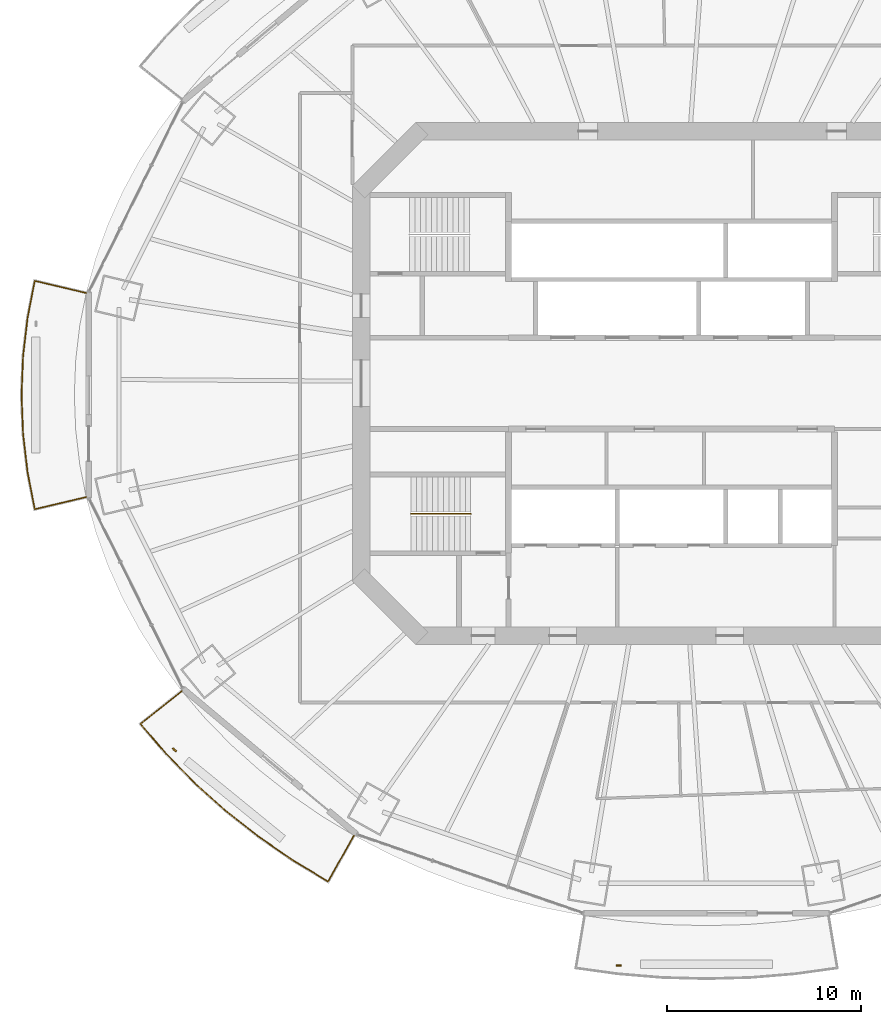
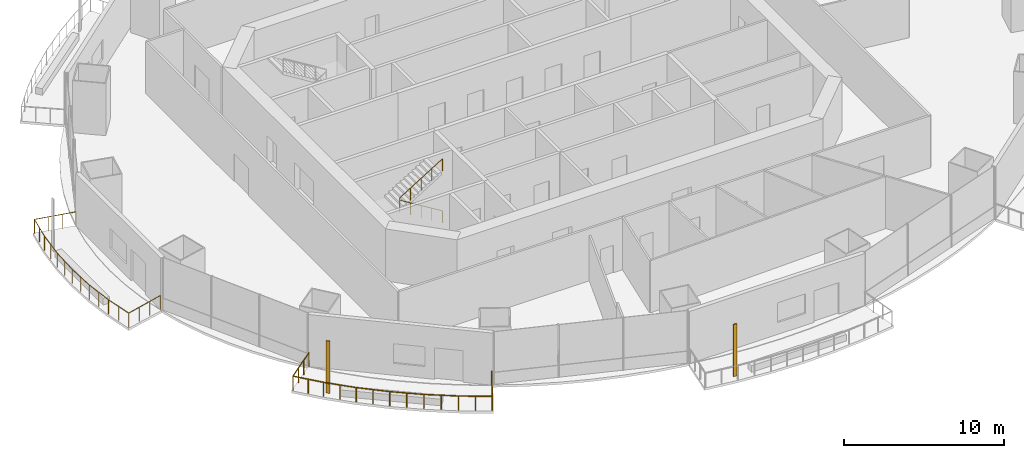
# One storey, part 15 of 20: 3 railings, 2 shading devices.
"""IFC4 building model written with IfcOpenShell, lengths in metres."""

from ifc_helpers import new_model, si_unit, direction, frame, origin, origin_2d, place, context, subcontext, project, spatial, rectangle, circle, extrude, material, material_profile, profile_set, type_object, element, save


model = new_model("IFC4")

# Units and contexts
model_context = context("Model", 3, precision=1e-05, world=origin(), true_north=direction((0.0, 1.0)))
body_context = subcontext(model_context, "Body", "Model", "MODEL_VIEW")
ifc_project = project(units=[si_unit("LENGTHUNIT", "METRE"), si_unit("AREAUNIT", "SQUARE_METRE"), si_unit("VOLUMEUNIT", "CUBIC_METRE"), si_unit("PLANEANGLEUNIT", "RADIAN"), si_unit("MASSUNIT", "GRAM", prefix="KILO")], contexts=[model_context])

# Site, building, storey
site_placement = place(None, origin())
site = spatial("IfcSite", under=ifc_project, at=site_placement, CompositionType="ELEMENT")
building_placement = place(site_placement, origin())
building = spatial("IfcBuilding", under=site, at=building_placement, Name="Marenthal Gate Tower", CompositionType="ELEMENT")
storey_placement = place(building_placement, frame((0.0, 0.0, 173.5)))
storey = spatial("IfcBuildingStorey", under=building, at=storey_placement, Name="L37", CompositionType="ELEMENT", Elevation=173.5)

# Railings
ifc_material_1 = material(Name="Stainless steel", Category="steel")
railing_type_1 = type_object("IfcRailingType", Name="Balcony guard 1100", PredefinedType="GUARDRAIL", material=ifc_material_1)
railing_1_placement = place(storey_placement, frame((-30.16943359375, -5.85693359375, 0.0)))
element("IfcRailing", 1, at=railing_1_placement, inside=storey, type_object=railing_type_1, Name="Balcony guard L37 bay 8", PredefinedType="GUARDRAIL", context=body_context, shape_type="SweptSolid", body=[
    extrude(circle(Radius=0.02392578125, at=origin_2d()), frame((0.0, 0.0, 1.076171875), z_axis=(-0.972991835715, -0.230369861859, -0.014717825222), x_axis=(0.230394816626, -0.97309723485, 0.0)), (0.0, 0.0, 1.0), 2.720458984375),
    extrude(circle(Radius=0.02392578125, at=origin_2d()), frame((-2.64697265625, -0.626708984375, 1.0361328125), z_axis=(-0.191367617188, 0.981518433394, 0.0), x_axis=(-0.981518433394, -0.191367617188, 0.0)), (0.0, 0.0, 1.0), 1.928955078125),
    extrude(circle(Radius=0.02392578125, at=origin_2d()), frame((-3.01611328125, 1.2666015625, 1.0361328125), z_axis=(-0.116473657371, 0.993193781263, 0.0), x_axis=(-0.993193781263, -0.116473657371, 0.0)), (0.0, 0.0, 1.0), 2.00390625),
    extrude(circle(Radius=0.02392578125, at=origin_2d()), frame((-3.24951171875, 3.2568359375, 1.0361328125), z_axis=(-0.03903273174, 0.999237932553, 0.0), x_axis=(-0.999237932553, -0.03903273174, 0.0)), (0.0, 0.0, 1.0), 2.00146484375),
    extrude(circle(Radius=0.02392578125, at=origin_2d()), frame((-3.32763671875, 5.2568359375, 1.0361328125), z_axis=(0.039027974841, 0.999238118358, 0.0), x_axis=(-0.999238118358, 0.039027974841, 0.0)), (0.0, 0.0, 1.0), 2.001708984375),
    extrude(circle(Radius=0.02392578125, at=origin_2d()), frame((-3.24951171875, 7.257080078125, 1.0361328125), z_axis=(0.116473657371, 0.993193781263, 0.0), x_axis=(-0.993193781263, 0.116473657371, 0.0)), (0.0, 0.0, 1.0), 2.00390625),
    extrude(circle(Radius=0.02392578125, at=origin_2d()), frame((-3.01611328125, 9.247314453125, 1.0361328125), z_axis=(0.191367617188, 0.981518433394, 0.0), x_axis=(-0.981518433394, 0.191367617188, 0.0)), (0.0, 0.0, 1.0), 1.928955078125),
    extrude(circle(Radius=0.02392578125, at=origin_2d()), frame((-2.64697265625, 11.140625, 1.0361328125), z_axis=(0.972991835715, -0.230369861859, 0.014717825222), x_axis=(0.230394816626, 0.97309723485, 0.0)), (0.0, 0.0, 1.0), 2.720458984375),
    extrude(circle(Radius=0.02099609375, at=origin_2d()), origin(), (0.0, 0.0, 1.0), 1.052001953125),
    extrude(circle(Radius=0.02099609375, at=origin_2d()), frame((-0.88232421875, -0.208984375, -0.013427734375)), (0.0, 0.0, 1.0), 1.052001953125),
    extrude(circle(Radius=0.02099609375, at=origin_2d()), frame((-1.7646484375, -0.417724609375, -0.026611328125)), (0.0, 0.0, 1.0), 1.052001953125),
    extrude(circle(Radius=0.02099609375, at=origin_2d()), frame((-2.64697265625, -0.626708984375, -0.0400390625)), (0.0, 0.0, 1.0), 1.052001953125),
    extrude(circle(Radius=0.02099609375, at=origin_2d()), frame((-2.83154296875, 0.31982421875, -0.0400390625)), (0.0, 0.0, 1.0), 1.052001953125),
    extrude(circle(Radius=0.02099609375, at=origin_2d()), frame((-3.01611328125, 1.2666015625, -0.0400390625)), (0.0, 0.0, 1.0), 1.052001953125),
    extrude(circle(Radius=0.02099609375, at=origin_2d()), frame((-3.1328125, 2.26171875, -0.0400390625)), (0.0, 0.0, 1.0), 1.052001953125),
    extrude(circle(Radius=0.02099609375, at=origin_2d()), frame((-3.24951171875, 3.2568359375, -0.0400390625)), (0.0, 0.0, 1.0), 1.052001953125),
    extrude(circle(Radius=0.02099609375, at=origin_2d()), frame((-3.28857421875, 4.2568359375, -0.0400390625)), (0.0, 0.0, 1.0), 1.052001953125),
    extrude(circle(Radius=0.02099609375, at=origin_2d()), frame((-3.32763671875, 5.2568359375, -0.0400390625)), (0.0, 0.0, 1.0), 1.052001953125),
    extrude(circle(Radius=0.02099609375, at=origin_2d()), frame((-3.28857421875, 6.2568359375, -0.0400390625)), (0.0, 0.0, 1.0), 1.052001953125),
    extrude(circle(Radius=0.02099609375, at=origin_2d()), frame((-3.24951171875, 7.257080078125, -0.0400390625)), (0.0, 0.0, 1.0), 1.052001953125),
    extrude(circle(Radius=0.02099609375, at=origin_2d()), frame((-3.1328125, 8.252197265625, -0.0400390625)), (0.0, 0.0, 1.0), 1.052001953125),
    extrude(circle(Radius=0.02099609375, at=origin_2d()), frame((-3.01611328125, 9.247314453125, -0.0400390625)), (0.0, 0.0, 1.0), 1.052001953125),
    extrude(circle(Radius=0.02099609375, at=origin_2d()), frame((-2.83154296875, 10.19384765625, -0.0400390625)), (0.0, 0.0, 1.0), 1.052001953125),
    extrude(circle(Radius=0.02099609375, at=origin_2d()), frame((-2.64697265625, 11.140625, -0.0400390625)), (0.0, 0.0, 1.0), 1.052001953125),
    extrude(circle(Radius=0.02099609375, at=origin_2d()), frame((-1.7646484375, 10.931640625, -0.026611328125)), (0.0, 0.0, 1.0), 1.052001953125),
    extrude(circle(Radius=0.02099609375, at=origin_2d()), frame((-0.88232421875, 10.722900390625, -0.013427734375)), (0.0, 0.0, 1.0), 1.052001953125),
    extrude(circle(Radius=0.02099609375, at=origin_2d()), frame((0.0, 10.513916015625, 0.0)), (0.0, 0.0, 1.0), 1.052001953125),
])
railing_2_placement = place(storey_placement, frame((-16.36865234375, -23.29833984375, 0.0)))
element("IfcRailing", 2, at=railing_2_placement, inside=storey, type_object=railing_type_1, Name="Balcony guard L37 bay 10", PredefinedType="GUARDRAIL", context=body_context, shape_type="SweptSolid", body=[
    extrude(circle(Radius=0.02392578125, at=origin_2d()), frame((0.0, 0.0, 1.076171875), z_axis=(-0.489411085686, -0.871928974406, -0.014719130397), x_axis=(0.872023442683, -0.489464110443, 0.0)), (0.0, 0.0, 1.0), 2.72021484375),
    extrude(circle(Radius=0.02392578125, at=origin_2d()), frame((-1.331298828125, -2.371826171875, 1.0361328125), z_axis=(-0.856264483042, 0.516537641494, 0.0), x_axis=(-0.516537641494, -0.856264483042, 0.0)), (0.0, 0.0, 1.0), 2.1083984375),
    extrude(circle(Radius=0.02392578125, at=origin_2d()), frame((-3.13671875, -1.28271484375, 1.0361328125), z_axis=(-0.823509936294, 0.567301846308, 0.0), x_axis=(-0.567301846308, -0.823509936294, 0.0)), (0.0, 0.0, 1.0), 2.170654296875),
    extrude(circle(Radius=0.02392578125, at=origin_2d()), frame((-4.92431640625, -0.05126953125, 1.0361328125), z_axis=(-0.786086084663, 0.618117033821, 0.0), x_axis=(-0.618117033821, -0.786086084663, 0.0)), (0.0, 0.0, 1.0), 2.152587890625),
    extrude(circle(Radius=0.02392578125, at=origin_2d()), frame((-6.616455078125, 1.279296875, 1.0361328125), z_axis=(-0.744714509998, 0.667383172247, 0.0), x_axis=(-0.667383172247, -0.744714509998, 0.0)), (0.0, 0.0, 1.0), 2.13427734375),
    extrude(circle(Radius=0.02392578125, at=origin_2d()), frame((-8.205810546875, 2.70361328125, 1.0361328125), z_axis=(-0.698983915283, 0.71513738972, 0.0), x_axis=(-0.71513738972, -0.698983915283, 0.0)), (0.0, 0.0, 1.0), 2.115966796875),
    extrude(circle(Radius=0.02392578125, at=origin_2d()), frame((-9.684814453125, 4.216796875, 1.0361328125), z_axis=(-0.650253316772, 0.75971746329, 0.0), x_axis=(-0.75971746329, -0.650253316772, 0.0)), (0.0, 0.0, 1.0), 2.0185546875),
    extrude(circle(Radius=0.02392578125, at=origin_2d()), frame((-10.997314453125, 5.750244140625, 1.0361328125), z_axis=(0.782619614183, 0.622326193205, 0.014718992744), x_axis=(-0.622393617256, 0.78270440474, 0.0)), (0.0, 0.0, 1.0), 2.72021484375),
    extrude(circle(Radius=0.02099609375, at=origin_2d()), origin(), (0.0, 0.0, 1.0), 1.052001953125),
    extrude(circle(Radius=0.02099609375, at=origin_2d()), frame((-0.44384765625, -0.79052734375, -0.013427734375)), (0.0, 0.0, 1.0), 1.052001953125),
    extrude(circle(Radius=0.02099609375, at=origin_2d()), frame((-0.887451171875, -1.581298828125, -0.026611328125)), (0.0, 0.0, 1.0), 1.052001953125),
    extrude(circle(Radius=0.02099609375, at=origin_2d()), frame((-1.331298828125, -2.371826171875, -0.0400390625)), (0.0, 0.0, 1.0), 1.052001953125),
    extrude(circle(Radius=0.02099609375, at=origin_2d()), frame((-2.23388671875, -1.8271484375, -0.0400390625)), (0.0, 0.0, 1.0), 1.052001953125),
    extrude(circle(Radius=0.02099609375, at=origin_2d()), frame((-3.13671875, -1.28271484375, -0.0400390625)), (0.0, 0.0, 1.0), 1.052001953125),
    extrude(circle(Radius=0.02099609375, at=origin_2d()), frame((-4.030517578125, -0.6669921875, -0.0400390625)), (0.0, 0.0, 1.0), 1.052001953125),
    extrude(circle(Radius=0.02099609375, at=origin_2d()), frame((-4.92431640625, -0.05126953125, -0.0400390625)), (0.0, 0.0, 1.0), 1.052001953125),
    extrude(circle(Radius=0.02099609375, at=origin_2d()), frame((-5.7705078125, 0.614013671875, -0.0400390625)), (0.0, 0.0, 1.0), 1.052001953125),
    extrude(circle(Radius=0.02099609375, at=origin_2d()), frame((-6.616455078125, 1.279296875, -0.0400390625)), (0.0, 0.0, 1.0), 1.052001953125),
    extrude(circle(Radius=0.02099609375, at=origin_2d()), frame((-7.4111328125, 1.991455078125, -0.0400390625)), (0.0, 0.0, 1.0), 1.052001953125),
    extrude(circle(Radius=0.02099609375, at=origin_2d()), frame((-8.205810546875, 2.70361328125, -0.0400390625)), (0.0, 0.0, 1.0), 1.052001953125),
    extrude(circle(Radius=0.02099609375, at=origin_2d()), frame((-8.9453125, 3.460205078125, -0.0400390625)), (0.0, 0.0, 1.0), 1.052001953125),
    extrude(circle(Radius=0.02099609375, at=origin_2d()), frame((-9.684814453125, 4.216796875, -0.0400390625)), (0.0, 0.0, 1.0), 1.052001953125),
    extrude(circle(Radius=0.02099609375, at=origin_2d()), frame((-10.341064453125, 4.9833984375, -0.0400390625)), (0.0, 0.0, 1.0), 1.052001953125),
    extrude(circle(Radius=0.02099609375, at=origin_2d()), frame((-10.997314453125, 5.750244140625, -0.0400390625)), (0.0, 0.0, 1.0), 1.052001953125),
    extrude(circle(Radius=0.02099609375, at=origin_2d()), frame((-10.28759765625, 6.314453125, -0.026611328125)), (0.0, 0.0, 1.0), 1.052001953125),
    extrude(circle(Radius=0.02099609375, at=origin_2d()), frame((-9.578125, 6.87890625, -0.013427734375)), (0.0, 0.0, 1.0), 1.052001953125),
    extrude(circle(Radius=0.02099609375, at=origin_2d()), frame((-8.868408203125, 7.443115234375, 0.0)), (0.0, 0.0, 1.0), 1.052001953125),
])
ifc_material_2 = material(Name="Stainless steel", Category="steel")
railing_type_2 = type_object("IfcRailingType", Name="Stair handrail", PredefinedType="HANDRAIL", material=ifc_material_2)
railing_3_placement = place(storey_placement, frame((-10.35009765625, -6.72509765625, 0.1728515625)))
element("IfcRailing", 3, at=railing_3_placement, inside=storey, type_object=railing_type_2, Name="Handrail ST2", PredefinedType="HANDRAIL", context=body_context, shape_type="SweptSolid", body=[
    extrude(circle(Radius=0.0224609375, at=origin_2d()), frame((0.0, 0.0, 0.927490234375), z_axis=(-0.850816621229, 0.0, 0.525462726595), x_axis=(0.0, -1.0, 0.0)), (0.0, 0.0, 1.0), 3.619873046875),
    extrude(circle(Radius=0.0224609375, at=origin_2d()), frame((-3.079833984375, 0.0, 2.82958984375), z_axis=(0.0, 0.0, 1.0), x_axis=(1.0, 0.0, 0.0)), (0.0, 0.0, 1.0), 0.1728515625),
    extrude(circle(Radius=0.0224609375, at=origin_2d()), frame((-3.079833984375, 0.0, 3.00244140625), z_axis=(0.850816621229, 0.0, 0.525462726595), x_axis=(0.0, 1.0, 0.0)), (0.0, 0.0, 1.0), 3.619873046875),
    extrude(circle(Radius=0.02001953125, at=origin_2d()), origin(), (0.0, 0.0, 1.0), 0.905029296875),
    extrude(circle(Radius=0.02001953125, at=origin_2d()), frame((-0.77001953125, 0.0, 0.4755859375)), (0.0, 0.0, 1.0), 0.905029296875),
    extrude(circle(Radius=0.02001953125, at=origin_2d()), frame((-1.5400390625, 0.0, 0.951171875)), (0.0, 0.0, 1.0), 0.905029296875),
    extrude(circle(Radius=0.02001953125, at=origin_2d()), frame((-2.309814453125, 0.0, 1.426513671875)), (0.0, 0.0, 1.0), 0.905029296875),
    extrude(circle(Radius=0.02001953125, at=origin_2d()), frame((-3.079833984375, 0.0, 1.902099609375)), (0.0, 0.0, 1.0), 0.905029296875),
    extrude(circle(Radius=0.02001953125, at=origin_2d()), frame((-3.079833984375, 0.0, 2.074951171875)), (0.0, 0.0, 1.0), 0.905029296875),
    extrude(circle(Radius=0.02001953125, at=origin_2d()), frame((-2.309814453125, 0.0, 2.550537109375)), (0.0, 0.0, 1.0), 0.905029296875),
    extrude(circle(Radius=0.02001953125, at=origin_2d()), frame((-1.5400390625, 0.0, 3.02587890625)), (0.0, 0.0, 1.0), 0.905029296875),
    extrude(circle(Radius=0.02001953125, at=origin_2d()), frame((-0.77001953125, 0.0, 3.50146484375)), (0.0, 0.0, 1.0), 0.905029296875),
    extrude(circle(Radius=0.02001953125, at=origin_2d()), frame((0.0, 0.0, 3.97705078125)), (0.0, 0.0, 1.0), 0.905029296875),
])

# Shading devices
ifc_material_3 = material(Name="Terracotta", Category="masonry")
ifc_material_profile = material_profile(ifc_material_3, rectangle(XDim=0.25, YDim=0.080078125, at=origin_2d()), Name="Terracotta baguette 250x80")
ifc_profile_set = profile_set([ifc_material_profile], Name="Terracotta")
shading_device_type = type_object("IfcShadingDeviceType", Name="Terracotta BAGUETTE SCREEN 250x80", PredefinedType="USERDEFINED", material=ifc_profile_set)
for number, where, z_axis, x_axis, name in (
    (4, (-25.617431640625, -18.883544921875, -0.0400390625), (0.0, 0.0, 1.0), (0.765850387542, -0.643018805247, 0.0), "Terracotta BAGUETTE L37 bay 10L"),
    (5, (-2.716552734375, -29.990966796875, -0.0400390625), (0.0, 0.0, 1.0), (1.0, 0.0, 0.0), "Terracotta BAGUETTE L37 bay 12L"),
):
    element("IfcShadingDevice", number, at=place(storey_placement, frame(where, z_axis=z_axis, x_axis=x_axis)), inside=storey, type_object=shading_device_type, Name=name, ObjectType="BAGUETTE SCREEN", PredefinedType="USERDEFINED", context=body_context, shape_type="SweptSolid", body=[
        extrude(rectangle(XDim=0.25, YDim=0.080078125, at=origin_2d()), origin(), (0.0, 0.0, 1.0), 3.969970703125),
    ])

save(model, "model.ifc")
